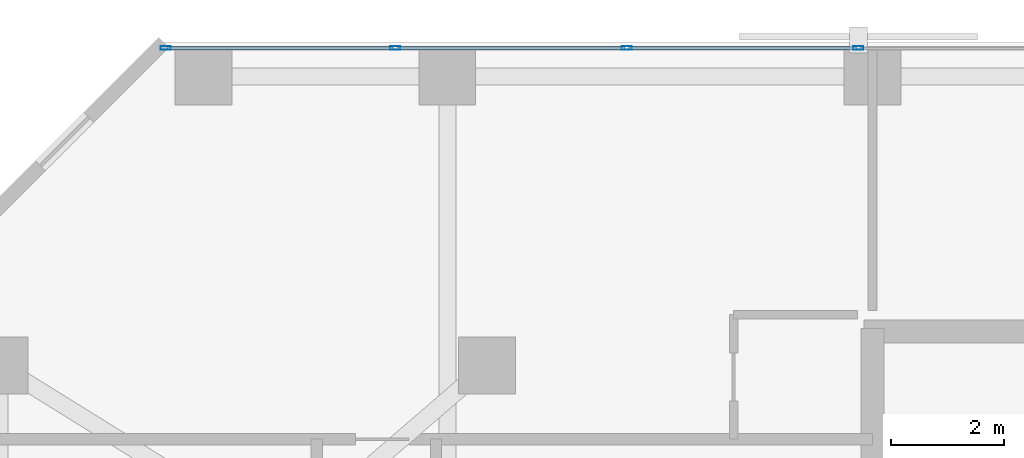
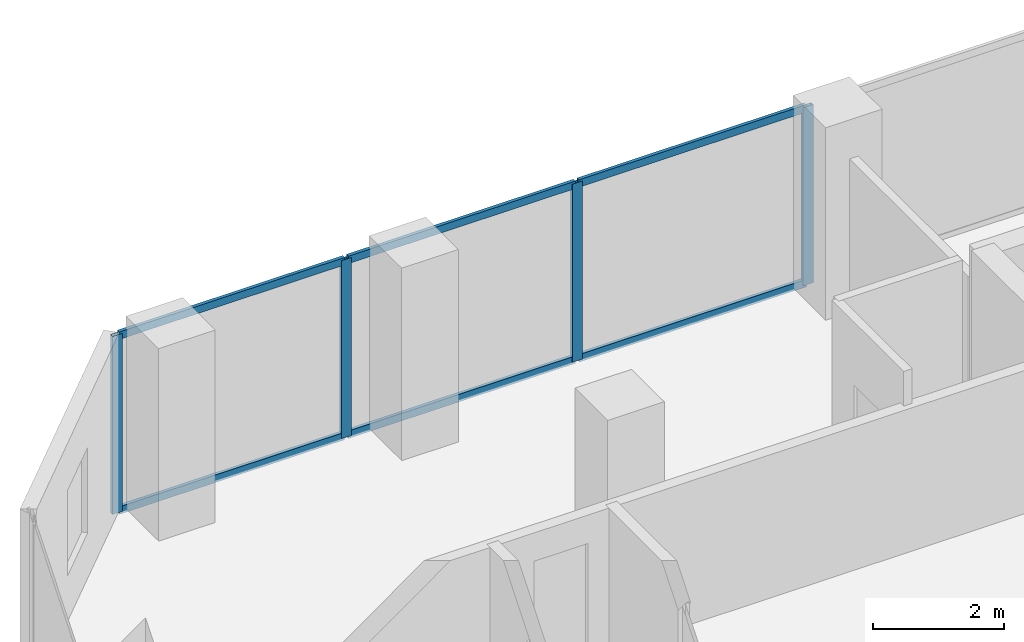
# One storey, part 20 of 32: 10 members, 1 element without a shape of its own.
"""IFC4 building model written with IfcOpenShell, lengths in metres."""

from ifc_helpers import new_model, si_unit, direction, frame, origin, origin_2d, place, context, subcontext, project, spatial, hollow_rectangle, extrude, material, layer, layer_set, material_profile, profile_set, type_object, element, aggregate, save


model = new_model("IFC4")

# Units and contexts
model_context = context("Model", 3, precision=1e-05, world=origin(), true_north=direction((0.0, 1.0)))
body_context = subcontext(model_context, "Body", "Model", "MODEL_VIEW")
ifc_project = project(units=[si_unit("LENGTHUNIT", "METRE"), si_unit("AREAUNIT", "SQUARE_METRE"), si_unit("VOLUMEUNIT", "CUBIC_METRE"), si_unit("PLANEANGLEUNIT", "RADIAN"), si_unit("MASSUNIT", "GRAM", prefix="KILO")], contexts=[model_context])

# Site, building, storey
site_placement = place(None, origin())
site = spatial("IfcSite", under=ifc_project, at=site_placement, CompositionType="ELEMENT")
building_placement = place(site_placement, origin())
building = spatial("IfcBuilding", under=site, at=building_placement, Name="Catumbela Crestline Tower", CompositionType="ELEMENT")
storey_placement = place(building_placement, frame((0.0, 0.0, 29.4)))
storey = spatial("IfcBuildingStorey", under=building, at=storey_placement, Name="L06", CompositionType="ELEMENT", Elevation=29.4)

# Curtain wall, members
ifc_material = material(Name="Aluminium alloy AW-6060-T66", Category="aluminium")
ifc_layer = layer(ifc_material, 0.18, Name="Aluminium alloy AW-6060-T66")
ifc_layer_set = layer_set([ifc_layer], Name="Aluminium alloy AW-6060-T66")
curtain_wall_type = type_object("IfcCurtainWallType", Name="CWU-Z1", PredefinedType="USERDEFINED", material=ifc_layer_set)
curtain_wall_placement = place(storey_placement, origin())
curtain_wall = element("IfcCurtainWall", 1, at=curtain_wall_placement, inside=storey, type_object=curtain_wall_type, Name="L06 Unitised Curtain Wall CW-L06-E7S1", ObjectType="UNITISED", PredefinedType="USERDEFINED")
ifc_material_profile_1 = material_profile(ifc_material, hollow_rectangle(XDim=0.065, YDim=0.18, WallThickness=0.004, at=origin_2d()), Name="ALU 180x65x4")
ifc_profile_set_1 = profile_set([ifc_material_profile_1], Name="Aluminium alloy AW-6060-T66")
member_type_1 = type_object("IfcMemberType", Name="MUL-180X65", PredefinedType="MULLION", material=ifc_profile_set_1)
member_1_placement = place(storey_placement, frame((15.75, 47.9, 0.0), z_axis=(0.0, 0.0, 1.0), x_axis=(0.0, -1.0, 0.0)))
member_1 = element("IfcMember", 2, at=member_1_placement, type_object=member_type_1, Name="CWU-Z1 mullion 10", PredefinedType="MULLION", context=body_context, shape_type="SweptSolid", body=[
    extrude(hollow_rectangle(XDim=0.065, YDim=0.18, WallThickness=0.004, at=origin_2d()), origin(), (0.0, 0.0, 1.0), 3.33),
])
member_2_placement = place(storey_placement, frame((11.6667, 47.9, 0.0), z_axis=(0.0, 0.0, 1.0), x_axis=(0.0, -1.0, 0.0)))
member_2 = element("IfcMember", 3, at=member_2_placement, type_object=member_type_1, Name="CWU-Z1 mullion 11", PredefinedType="MULLION", context=body_context, shape_type="SweptSolid", body=[
    extrude(hollow_rectangle(XDim=0.065, YDim=0.18, WallThickness=0.004, at=origin_2d()), origin(), (0.0, 0.0, 1.0), 3.33),
])
member_3_placement = place(storey_placement, frame((7.5833, 47.9, 0.0), z_axis=(0.0, 0.0, 1.0), x_axis=(0.0, -1.0, 0.0)))
member_3 = element("IfcMember", 4, at=member_3_placement, type_object=member_type_1, Name="CWU-Z1 mullion 12", PredefinedType="MULLION", context=body_context, shape_type="SweptSolid", body=[
    extrude(hollow_rectangle(XDim=0.065, YDim=0.18, WallThickness=0.004, at=origin_2d()), origin(), (0.0, 0.0, 1.0), 3.33),
])
member_4_placement = place(storey_placement, frame((3.5325, 47.9, 0.0), z_axis=(0.0, 0.0, 1.0), x_axis=(0.0, -1.0, 0.0)))
member_4 = element("IfcMember", 5, at=member_4_placement, type_object=member_type_1, Name="CWU-Z1 mullion 13", PredefinedType="MULLION", context=body_context, shape_type="SweptSolid", body=[
    extrude(hollow_rectangle(XDim=0.065, YDim=0.18, WallThickness=0.004, at=origin_2d()), origin(), (0.0, 0.0, 1.0), 3.33),
])
ifc_material_profile_2 = material_profile(ifc_material, hollow_rectangle(XDim=0.06, YDim=0.14, WallThickness=0.004, at=origin_2d()), Name="ALU 140x60x4")
ifc_profile_set_2 = profile_set([ifc_material_profile_2], Name="Aluminium alloy AW-6060-T66")
member_type_2 = type_object("IfcMemberType", Name="TRN-140X60", PredefinedType="USERDEFINED", material=ifc_profile_set_2)
member_5_placement = place(storey_placement, frame((15.7175, 47.9, 0.03), z_axis=(-1.0, 0.0, 0.0), x_axis=(0.0, -1.0, 0.0)))
member_5 = element("IfcMember", 6, at=member_5_placement, type_object=member_type_2, Name="CWU-Z1 transom 10.1", ObjectType="TRANSOM", PredefinedType="USERDEFINED", context=body_context, shape_type="SweptSolid", body=[
    extrude(hollow_rectangle(XDim=0.06, YDim=0.14, WallThickness=0.004, at=origin_2d()), origin(), (0.0, 0.0, 1.0), 4.0183),
])
member_6_placement = place(storey_placement, frame((15.7175, 47.9, 3.3), z_axis=(-1.0, 0.0, 0.0), x_axis=(0.0, -1.0, 0.0)))
member_6 = element("IfcMember", 7, at=member_6_placement, type_object=member_type_2, Name="CWU-Z1 transom 10.2", ObjectType="TRANSOM", PredefinedType="USERDEFINED", context=body_context, shape_type="SweptSolid", body=[
    extrude(hollow_rectangle(XDim=0.06, YDim=0.14, WallThickness=0.004, at=origin_2d()), origin(), (0.0, 0.0, 1.0), 4.0183),
])
member_7_placement = place(storey_placement, frame((11.6342, 47.9, 0.03), z_axis=(-1.0, 0.0, 0.0), x_axis=(0.0, -1.0, 0.0)))
member_7 = element("IfcMember", 8, at=member_7_placement, type_object=member_type_2, Name="CWU-Z1 transom 11.1", ObjectType="TRANSOM", PredefinedType="USERDEFINED", context=body_context, shape_type="SweptSolid", body=[
    extrude(hollow_rectangle(XDim=0.06, YDim=0.14, WallThickness=0.004, at=origin_2d()), origin(), (0.0, 0.0, 1.0), 4.0184),
])
member_8_placement = place(storey_placement, frame((11.6342, 47.9, 3.3), z_axis=(-1.0, 0.0, 0.0), x_axis=(0.0, -1.0, 0.0)))
member_8 = element("IfcMember", 9, at=member_8_placement, type_object=member_type_2, Name="CWU-Z1 transom 11.2", ObjectType="TRANSOM", PredefinedType="USERDEFINED", context=body_context, shape_type="SweptSolid", body=[
    extrude(hollow_rectangle(XDim=0.06, YDim=0.14, WallThickness=0.004, at=origin_2d()), origin(), (0.0, 0.0, 1.0), 4.0184),
])
member_9_placement = place(storey_placement, frame((7.5508, 47.9, 0.03), z_axis=(-1.0, 0.0, 0.0), x_axis=(0.0, -1.0, 0.0)))
member_9 = element("IfcMember", 10, at=member_9_placement, type_object=member_type_2, Name="CWU-Z1 transom 12.1", ObjectType="TRANSOM", PredefinedType="USERDEFINED", context=body_context, shape_type="SweptSolid", body=[
    extrude(hollow_rectangle(XDim=0.06, YDim=0.14, WallThickness=0.004, at=origin_2d()), origin(), (0.0, 0.0, 1.0), 3.9858),
])
member_10_placement = place(storey_placement, frame((7.5508, 47.9, 3.3), z_axis=(-1.0, 0.0, 0.0), x_axis=(0.0, -1.0, 0.0)))
member_10 = element("IfcMember", 11, at=member_10_placement, type_object=member_type_2, Name="CWU-Z1 transom 12.2", ObjectType="TRANSOM", PredefinedType="USERDEFINED", context=body_context, shape_type="SweptSolid", body=[
    extrude(hollow_rectangle(XDim=0.06, YDim=0.14, WallThickness=0.004, at=origin_2d()), origin(), (0.0, 0.0, 1.0), 3.9858),
])
aggregate(curtain_wall, [member_1, member_2, member_3, member_4, member_5, member_6, member_7, member_8, member_9, member_10])

save(model, "model.ifc")
